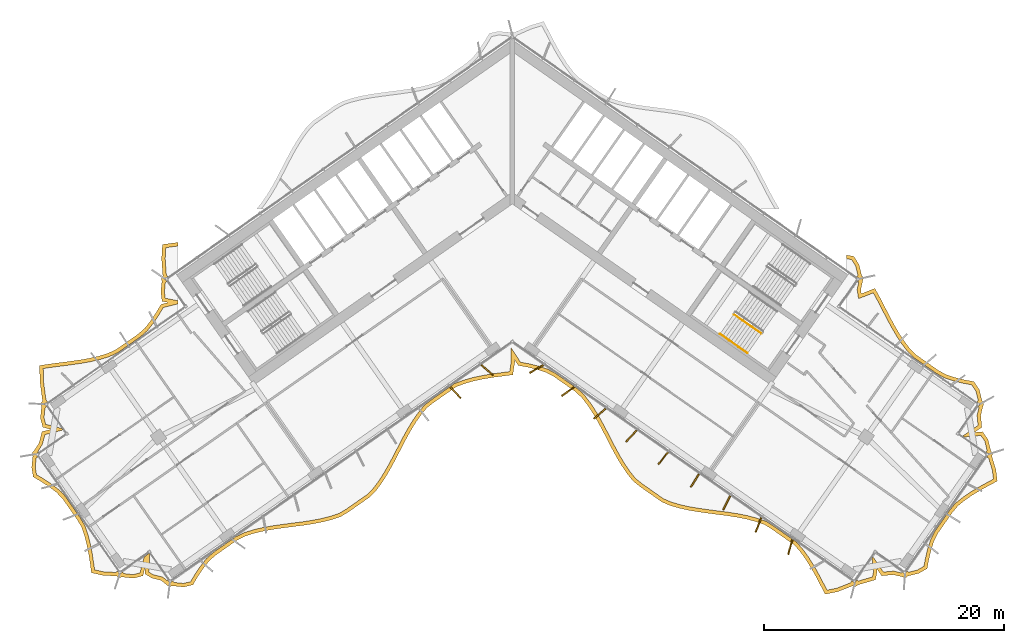
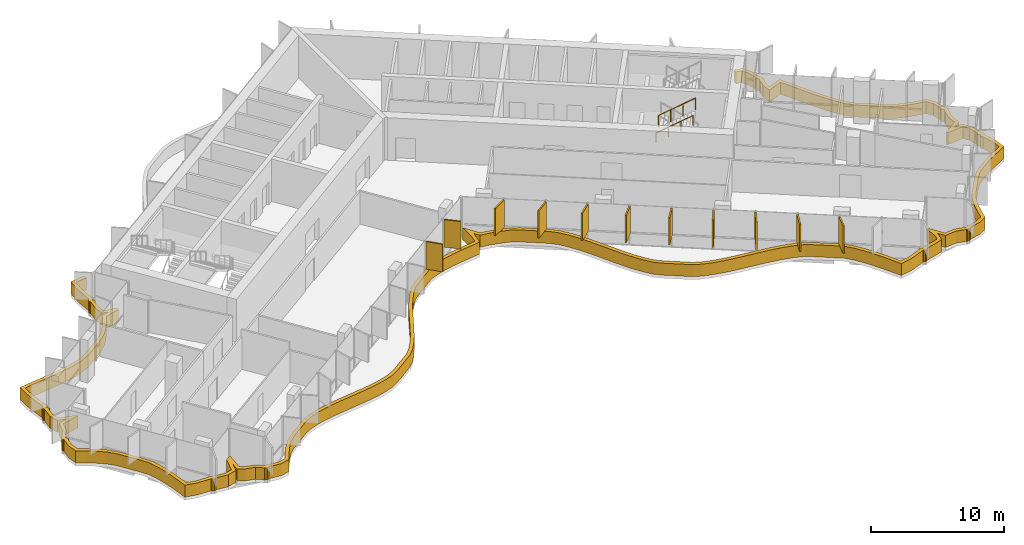
# One storey, part 19 of 22: 12 shading devices, 2 railings.
"""IFC4 building model written with IfcOpenShell, lengths in metres."""

import ifcopenshell
import ifcopenshell.guid

model = None  # the IFC model being written
_history = None  # IfcOwnerHistory: only IFC2X3 demands one
_inside = {}  # id of a spatial element -> (the spatial element, [elements in it])
_under = {}  # id of a project, library or spatial element -> (it, [spatial elements below it])
_declared = {}  # id of a project -> (the project, [libraries it declares])
_typed = {}  # id of a type object -> (the type object, [elements of that type])
_made_of = {}  # id of a material, layer set ... -> (it, [elements and type objects made of it])


def new_model(schema):
    """Start an empty IFC model of exactly this schema.

    Asked for "IFC4X3", IfcOpenShell would pick the latest addendum, in which some entities
    have other attributes; the version numbers below select the first issue.
    IFC2X3 requires an IfcOwnerHistory on every rooted entity: one is made here for all.
    """
    global model, _history
    if schema == "IFC4X3":
        model = ifcopenshell.file(schema_version=(4, 3, 0, 0))
    else:
        model = ifcopenshell.file(schema=schema)
    _inside.clear()
    _under.clear()
    _declared.clear()
    _typed.clear()
    _made_of.clear()
    _history = None
    if model.schema == "IFC2X3":
        org = make("IfcOrganization", Name="unknown")
        user = make(
            "IfcPersonAndOrganization",
            ThePerson=make("IfcPerson", FamilyName="unknown"),
            TheOrganization=org,
        )
        app = make(
            "IfcApplication",
            ApplicationDeveloper=org,
            Version="unknown",
            ApplicationFullName="unknown",
            ApplicationIdentifier="unknown",
        )
        _history = make(
            "IfcOwnerHistory",
            OwningUser=user,
            OwningApplication=app,
            ChangeAction="ADDED",
            CreationDate=0,
        )
    return model


def make(cls, **values):
    """One entity of the class cls with the attributes given. An attribute that is None is left unset."""
    return model.create_entity(
        cls, **{name: value for name, value in values.items() if value is not None}
    )


def rooted(cls, **values):
    """An entity with a GlobalId (a new one), such as an element, a storey or a relation."""
    return make(cls, GlobalId=ifcopenshell.guid.new(), OwnerHistory=_history, **values)


def si_unit(unit_type, name, prefix=None):
    """IfcSIUnit, for example si_unit("LENGTHUNIT", "METRE", prefix="MILLI")."""
    return make("IfcSIUnit", UnitType=unit_type, Prefix=prefix, Name=name)


def assignment(units):
    """IfcUnitAssignment: the units of a project."""
    return None if units is None else make("IfcUnitAssignment", Units=units)


def point(xyz):
    """IfcCartesianPoint."""
    return None if xyz is None else make("IfcCartesianPoint", Coordinates=xyz)


def direction(xyz):
    """IfcDirection."""
    return None if xyz is None else make("IfcDirection", DirectionRatios=xyz)


def frame(location, z_axis=None, x_axis=None):
    """IfcAxis2Placement3D, a coordinate frame: its origin and axes. An axis left out is left unset."""
    return make(
        "IfcAxis2Placement3D",
        Location=point(location),
        Axis=direction(z_axis),
        RefDirection=direction(x_axis),
    )


def frame_2d(location, x_axis=None):
    """IfcAxis2Placement2D, a coordinate frame in the plane: its origin and x axis."""
    return make(
        "IfcAxis2Placement2D", Location=point(location), RefDirection=direction(x_axis)
    )


def origin():
    """The frame at (0, 0, 0) with its axes left unset."""
    return frame((0.0, 0.0, 0.0))


def origin_2d():
    """The frame at (0, 0) in the plane with its x axis left unset."""
    return frame_2d((0.0, 0.0))


def place(relative_to, where):
    """IfcLocalPlacement: puts the frame where relative to a parent placement (None: the world)."""
    return make(
        "IfcLocalPlacement", PlacementRelTo=relative_to, RelativePlacement=where
    )


def context(
    kind, dimensions, precision=None, world=None, true_north=None, identifier=None
):
    """IfcGeometricRepresentationContext, for example the 3D "Model" context."""
    return make(
        "IfcGeometricRepresentationContext",
        ContextIdentifier=identifier,
        ContextType=kind,
        CoordinateSpaceDimension=dimensions,
        Precision=precision,
        WorldCoordinateSystem=world,
        TrueNorth=true_north,
    )


def subcontext(parent, identifier, kind, view, scale=None):
    """IfcGeometricRepresentationSubContext, for example "Body" below "Model"."""
    return make(
        "IfcGeometricRepresentationSubContext",
        ContextIdentifier=identifier,
        ContextType=kind,
        ParentContext=parent,
        TargetScale=scale,
        TargetView=view,
    )


def project(units=None, contexts=None):
    """IfcProject with its units and contexts."""
    return rooted(
        "IfcProject",
        Name="project",
        RepresentationContexts=contexts,
        UnitsInContext=assignment(units),
    )


def spatial(cls, under=None, at=None, **own):
    """A site, building, storey or space (cls), placed at a placement, below another one or the project."""
    s = rooted(cls, ObjectPlacement=at, **own)
    if under is not None:
        _under.setdefault(under.id(), (under, []))[1].append(s)
    return s


def polyline(points):
    """IfcPolyline through the points."""
    return make("IfcPolyline", Points=[point(p) for p in points])


def profile(cls, at=None, kind="AREA", **sizes):
    """A parametric profile (cls). Its sizes go by their IFC names, for example OverallWidth=200.0."""
    return make(cls, ProfileType=kind, Position=at, **sizes)


def rectangle(**sizes):
    """IfcRectangleProfileDef."""
    return profile("IfcRectangleProfileDef", **sizes)


def circle(**sizes):
    """IfcCircleProfileDef."""
    return profile("IfcCircleProfileDef", **sizes)


def outline(outer, holes=None, kind="AREA"):
    """IfcArbitraryClosedProfileDef: a profile drawn as a closed curve; with holes, ...WithVoids."""
    if holes is None:
        return make("IfcArbitraryClosedProfileDef", ProfileType=kind, OuterCurve=outer)
    return make(
        "IfcArbitraryProfileDefWithVoids",
        ProfileType=kind,
        OuterCurve=outer,
        InnerCurves=holes,
    )


def extrude(swept, where, along, depth):
    """IfcExtrudedAreaSolid: the profile swept, set in the frame where, extruded along a direction by depth."""
    return make(
        "IfcExtrudedAreaSolid",
        SweptArea=swept,
        Position=where,
        ExtrudedDirection=direction(along),
        Depth=depth,
    )


def shape(context_of_items, identifier, shape_type, items):
    """IfcShapeRepresentation: the items that make up one representation, for example the "Body"."""
    return make(
        "IfcShapeRepresentation",
        ContextOfItems=context_of_items,
        RepresentationIdentifier=identifier,
        RepresentationType=shape_type,
        Items=items,
    )


def material(Name=None, Category=None):
    """IfcMaterial."""
    return make("IfcMaterial", Name=Name, Category=Category)


def layer(
    of_material, thickness, ventilated=None, Name=None, Category=None, Priority=None
):
    """IfcMaterialLayer: one layer of a wall or slab, of a material (None: an air gap)."""
    return make(
        "IfcMaterialLayer",
        Material=of_material,
        LayerThickness=thickness,
        IsVentilated=ventilated,
        Name=Name,
        Category=Category,
        Priority=Priority,
    )


def layer_set(layers, Name=None):
    """IfcMaterialLayerSet."""
    return make("IfcMaterialLayerSet", MaterialLayers=layers, LayerSetName=Name)


def made_of(thing, what):
    """Note that an element or type object is made of a material, layer set ...; save() writes the relation."""
    if what is not None:
        _made_of.setdefault(what.id(), (what, []))[1].append(thing)
    return thing


def type_object(cls, material=None, **own):
    """A type object (cls), such as IfcWallType, which elements share."""
    return made_of(rooted(cls, **own), material)


def element(
    cls,
    number,
    at=None,
    inside=None,
    cuts=None,
    type_object=None,
    material=None,
    context=None,
    identifier="Body",
    shape_type=None,
    held_by="IfcProductDefinitionShape",
    body=None,
    shapes=None,
    **own,
):
    """One element of the class cls, such as IfcWall. Its Tag is "e" and its number.

    at: its placement. inside: the storey or other place that contains it. cuts: it is an
    opening in that element (IfcRelVoidsElement). A single representation is given by context,
    identifier, shape_type and body (its items); several are given by shapes. held_by: the class
    of the entity that holds the representations. save() writes the other relations.
    """
    e = rooted(cls, Tag="e%d" % number, ObjectPlacement=at, **own)
    if body is not None:
        shapes = [shape(context, identifier, shape_type, body)]
    if shapes is not None:
        e.Representation = make(held_by, Representations=shapes)
    if inside is not None:
        _inside.setdefault(inside.id(), (inside, []))[1].append(e)
    if cuts is not None:
        rooted(
            "IfcRelVoidsElement", RelatingBuildingElement=cuts, RelatedOpeningElement=e
        )
    if type_object is not None:
        _typed.setdefault(type_object.id(), (type_object, []))[1].append(e)
    return made_of(e, material)


def aggregate(whole, parts):
    """IfcRelAggregates: a whole, such as a stair, and the parts it consists of."""
    return rooted("IfcRelAggregates", RelatingObject=whole, RelatedObjects=parts)


def save(model, path):
    """Write the relations noted so far, then the file.

    IfcRelAggregates (storeys below a building ...), IfcRelContainedInSpatialStructure (elements
    in a storey), IfcRelDefinesByType, IfcRelAssociatesMaterial and IfcRelDeclares: one each for
    every whole, place, type object, material and project.
    """
    for whole, parts in _under.values():
        aggregate(whole, parts)
    for where, things in _inside.values():
        rooted(
            "IfcRelContainedInSpatialStructure",
            RelatedElements=things,
            RelatingStructure=where,
        )
    for kind, things in _typed.values():
        rooted("IfcRelDefinesByType", RelatedObjects=things, RelatingType=kind)
    for what, things in _made_of.values():
        rooted("IfcRelAssociatesMaterial", RelatedObjects=things, RelatingMaterial=what)
    for by, libraries in _declared.values():
        rooted("IfcRelDeclares", RelatingContext=by, RelatedDefinitions=libraries)
    model.write(path)


model = new_model("IFC4")

# Units and contexts
model_context = context("Model", 3, precision=1e-05, world=origin(), true_north=direction((0.0, 1.0)))
body_context = subcontext(model_context, "Body", "Model", "MODEL_VIEW")
ifc_project = project(units=[si_unit("LENGTHUNIT", "METRE"), si_unit("AREAUNIT", "SQUARE_METRE"), si_unit("VOLUMEUNIT", "CUBIC_METRE"), si_unit("PLANEANGLEUNIT", "RADIAN"), si_unit("MASSUNIT", "GRAM", prefix="KILO")], contexts=[model_context])

# Site, building, storey
site_placement = place(None, origin())
site = spatial("IfcSite", under=ifc_project, at=site_placement, CompositionType="ELEMENT")
building_placement = place(site_placement, origin())
building = spatial("IfcBuilding", under=site, at=building_placement, Name="Tel Ilan Convention Tower", CompositionType="ELEMENT")
storey_placement = place(building_placement, frame((0.0, 0.0, 135.89990234375)))
storey = spatial("IfcBuildingStorey", under=building, at=storey_placement, Name="L30", CompositionType="ELEMENT", Elevation=135.89990234375)

# Shading devices
ifc_material_1 = material(Name="Aluminium, bronze anodised", Category="aluminium")
ifc_layer_1 = layer(ifc_material_1, 0.1201171875)
ifc_layer_set_1 = layer_set([ifc_layer_1], Name="FIN BRONZE 1300x120")
shading_device_type_1 = type_object("IfcShadingDeviceType", Name="FIN BRONZE 1300x120", PredefinedType="USERDEFINED", material=ifc_layer_set_1)
for number, where, z_axis, x_axis, name in (
    (1, (-4.7392578125, -16.931884765625, 1.10009765625), (0.0, 0.0, 1.0), (0.686241637865, -0.727373641577, 0.0), "FIN"),
    (2, (-2.097412109375, -15.073974609375, 1.10009765625), (0.0, 0.0, 1.0), (0.753435896329, -0.657521368568, 0.0), "FIN"),
    (3, (2.017822265625, -14.98046875, 1.10009765625), (0.0, 0.0, 1.0), (-0.866025403784, -0.5, 0.0), "FIN"),
    (4, (4.650146484375, -16.84619140625, 1.10009765625), (0.0, 0.0, 1.0), (-0.813552070258, -0.581492071294, 0.0), "FIN"),
    (5, (7.287353515625, -18.708251953125, 1.10009765625), (0.0, 0.0, 1.0), (-0.753435896329, -0.657521368568, 0.0), "FIN"),
    (6, (9.929443359375, -20.56591796875, 1.10009765625), (0.0, 0.0, 1.0), (-0.686241637865, -0.727373641577, 0.0), "FIN"),
    (7, (12.57568359375, -22.419189453125, 1.10009765625), (0.0, 0.0, 1.0), (-0.612600545196, -0.790392669516, 0.0), "FIN"),
    (8, (15.222412109375, -24.2724609375, 1.10009765625), (0.0, 0.0, 1.0), (-0.533204432798, -0.845986425922, 0.0), "FIN"),
    (9, (17.868896484375, -26.125244140625, 1.10009765625), (0.0, 0.0, 1.0), (-0.448799180206, -0.893632640321, 0.0), "FIN"),
    (10, (20.518310546875, -27.97265625, 1.10009765625), (0.0, 0.0, 1.0), (-0.360177724803, -0.932883704733, 0.0), "FIN"),
    (11, (23.170166015625, -29.81396484375, 1.10009765625), (0.0, 0.0, 1.0), (-0.268172612768, -0.963370878614, 0.0), "FIN"),
):
    element("IfcShadingDevice", number, at=place(storey_placement, frame(where, z_axis=z_axis, x_axis=x_axis)), inside=storey, type_object=shading_device_type_1, Name=name, ObjectType="FIN", PredefinedType="USERDEFINED", context=body_context, shape_type="SweptSolid", body=[
        extrude(rectangle(XDim=1.300048828125, YDim=0.1201171875, at=origin_2d()), origin(), (0.0, 0.0, 1.0), 2.52001953125),
    ])
ifc_material_2 = material(Name="Aluminium, bronze anodised", Category="aluminium")
ifc_layer_2 = layer(ifc_material_2, 0.300048828125)
ifc_layer_set_2 = layer_set([ifc_layer_2], Name="LOUVRE BAND 300x1100")
shading_device_type_2 = type_object("IfcShadingDeviceType", Name="LOUVRE BAND 300x1100", PredefinedType="USERDEFINED", material=ifc_layer_set_2)
shading_device_placement = place(storey_placement, origin())
element("IfcShadingDevice", 12, at=shading_device_placement, inside=storey, type_object=shading_device_type_2, Name="LOUVRE BAND 24.01", ObjectType="LOUVRE", PredefinedType="USERDEFINED", context=body_context, shape_type="SweptSolid", body=[
    extrude(outline(polyline([(-40.0625, -23.190673828125), (-39.92822265625, -23.97265625), (-39.250732421875, -24.374267578125), (-38.60546875, -24.798583984375), (-38.006591796875, -25.25537109375), (-37.49755859375, -25.77490234375), (-36.2626953125, -27.53857421875), (-35.8984375, -28.15966796875), (-35.6572265625, -28.86669921875), (-35.46484375, -29.608154296875), (-35.312744140625, -30.377685546875), (-35.189697265625, -31.167724609375), (-35.07666015625, -31.964599609375), (-34.1298828125, -32.177734375), (-32.96484375, -32.238037109375), (-32.93603515625, -32.281494140625), (-32.838623046875, -32.346435546875), (-32.723876953125, -32.369384765625), (-32.609130859375, -32.346435546875), (-32.554931640625, -32.310302734375), (-31.562744140625, -32.420166015625), (-30.788818359375, -32.2177734375), (-30.573974609375, -31.399658203125), (-30.615234375, -32.057861328125), (-30.059814453125, -32.4013671875), (-29.2880859375, -32.593505859375), (-28.79150390625, -32.97802734375), (-28.786865234375, -32.974853515625), (-28.7578125, -33.01806640625), (-28.660400390625, -33.083251953125), (-28.545654296875, -33.10595703125), (-28.430908203125, -33.083251953125), (-28.376953125, -33.047119140625), (-27.396728515625, -33.154296875), (-26.6201171875, -32.970703125), (-26.2060546875, -32.269287109375), (-25.76416015625, -31.607666015625), (-25.286865234375, -30.996826171875), (-24.7294921875, -30.500244140625), (-22.907470703125, -29.224365234375), (-22.2314453125, -28.89697265625), (-21.48779296875, -28.666259765625), (-20.7099609375, -28.484619140625), (-19.905029296875, -28.34130859375), (-19.08251953125, -28.2236328125), (-17.421875, -28.009765625), (-16.60400390625, -27.885009765625), (-15.80712890625, -27.73046875), (-15.039794921875, -27.533935546875), (-14.308837890625, -27.284912109375), (-13.6689453125, -26.906005859375), (-11.846923828125, -25.63037109375), (-11.327880859375, -25.078857421875), (-10.86279296875, -24.4501953125), (-10.43115234375, -23.7744140625), (-10.024658203125, -23.06201171875), (-9.634765625, -22.326171875), (-8.864990234375, -20.84033203125), (-8.46533203125, -20.118408203125), (-8.043212890625, -19.428466796875), (-7.59033203125, -18.782470703125), (-7.10009765625, -18.190185546875), (-6.5087890625, -17.741943359375), (-4.686767578125, -16.466064453125), (-3.97021484375, -16.19677734375), (-3.214599609375, -15.983154296875), (-2.427001953125, -15.8154296875), (-1.615234375, -15.681884765625), (0.04248046875, -15.464111328125), (0.2060546875, -14.405029296875), (0.201416015625, -14.2236328125), (0.50390625, -14.683837890625), (1.3046875, -14.8330078125), (2.077392578125, -15.02197265625), (2.814697265625, -15.26171875), (3.47216796875, -15.615478515625), (5.294189453125, -16.891357421875), (5.832763671875, -17.414794921875), (6.303955078125, -18.034423828125), (6.74072265625, -18.703369140625), (7.150634765625, -19.41064453125), (7.542724609375, -20.143310546875), (8.3115234375, -21.630615234375), (8.70849609375, -22.3564453125), (9.126220703125, -23.052490234375), (9.573486328125, -23.706298828125), (10.057373046875, -24.30810546875), (10.63232421875, -24.77978515625), (12.454345703125, -26.0556640625), (13.14990234375, -26.354736328125), (13.899658203125, -26.57666015625), (14.6826171875, -26.751220703125), (15.490966796875, -26.889404296875), (16.315673828125, -27.004150390625), (17.975341796875, -27.21923828125), (18.790283203125, -27.347900390625), (19.5830078125, -27.5087890625), (20.344970703125, -27.71337890625), (21.069091796875, -27.9716796875), (21.692626953125, -28.373779296875), (23.5146484375, -29.649658203125), (24.012939453125, -30.230712890625), (24.47216796875, -30.86767578125), (24.899169921875, -31.550537109375), (25.30224609375, -32.267578125), (26.07373046875, -33.750732421875), (27.125, -33.542236328125), (28.376953125, -33.047119140625), (28.430908203125, -33.083251953125), (28.545654296875, -33.10595703125), (28.660400390625, -33.083251953125), (28.7578125, -33.01806640625), (28.786865234375, -32.974853515625), (29.53466796875, -32.76611328125), (30.271240234375, -32.54931640625), (30.40380859375, -31.90966796875), (30.373046875, -31.6162109375), (30.788818359375, -32.2177734375), (31.767822265625, -32.126953125), (32.5517578125, -32.31494140625), (32.554931640625, -32.310302734375), (32.609130859375, -32.346435546875), (32.723876953125, -32.369384765625), (32.838623046875, -32.346435546875), (32.93603515625, -32.281494140625), (32.96484375, -32.238037109375), (33.88818359375, -32.008544921875), (34.5771484375, -31.61474609375), (34.722900390625, -30.8408203125), (34.90087890625, -30.08935546875), (35.125244140625, -29.370361328125), (35.439453125, -28.714111328125), (36.67431640625, -26.95068359375), (37.13330078125, -26.39599609375), (37.71533203125, -25.927490234375), (38.346435546875, -25.4931640625), (39.017333984375, -25.0869140625), (39.717529296875, -24.701171875), (40.427734375, -24.322265625), (40.30419921875, -23.359619140625), (39.962646484375, -22.244384765625), (39.99853515625, -22.1904296875), (40.021484375, -22.07568359375), (39.99853515625, -21.9609375), (39.93359375, -21.863525390625), (39.890380859375, -21.83447265625), (39.654052734375, -20.864501953125), (39.19921875, -20.20654296875), (38.498291015625, -20.271484375), (39.133056640625, -19.83251953125), (39.04248046875, -18.853515625), (39.23046875, -18.069580078125), (39.225830078125, -18.066162109375), (39.261962890625, -18.01220703125), (39.28466796875, -17.8974609375), (39.261962890625, -17.78271484375), (39.19677734375, -17.685302734375), (39.153564453125, -17.656494140625), (38.917724609375, -16.690185546875), (38.468017578125, -16.029296875), (37.661376953125, -15.878662109375), (36.88330078125, -15.686767578125), (36.141357421875, -15.443115234375), (35.483642578125, -15.07958984375), (33.64697265625, -13.793701171875), (33.11279296875, -13.25341796875), (32.64111328125, -12.6240234375), (32.20361328125, -11.94580078125), (31.792724609375, -11.229736328125), (31.39892578125, -10.4892578125), (30.623291015625, -8.990966796875), (30.220947265625, -8.262451171875), (29.09619140625, -8.70458984375), (29.044921875, -8.373779296875), (29.20458984375, -7.631103515625), (29.199951171875, -7.6279296875), (29.236083984375, -7.57373046875), (29.2587890625, -7.458984375), (29.236083984375, -7.34423828125), (29.1708984375, -7.246826171875), (29.127685546875, -7.218017578125), (28.894287109375, -6.267333984375), (28.465576171875, -5.595458984375), (27.874755859375, -5.485595703125), (27.874755859375, -5.790771484375), (28.28271484375, -5.86669921875), (28.614990234375, -6.387451171875), (28.806640625, -7.1533203125), (28.713134765625, -7.286865234375), (28.958740234375, -7.458984375), (28.787353515625, -7.705322265625), (28.869384765625, -7.7626953125), (28.73974609375, -8.364990234375), (28.857421875, -9.12060546875), (30.085693359375, -8.63818359375), (30.35888671875, -9.1328125), (31.133056640625, -10.628173828125), (31.530029296875, -11.375), (31.947265625, -12.101806640625), (32.394775390625, -12.795654296875), (32.885009765625, -13.44970703125), (33.45263671875, -14.02392578125), (35.324462890625, -15.33447265625), (36.02099609375, -15.71923828125), (36.80029296875, -15.975341796875), (37.597900390625, -16.171875), (38.290283203125, -16.30126953125), (38.6396484375, -16.814453125), (38.832763671875, -17.591552734375), (38.739013671875, -17.725341796875), (38.98486328125, -17.8974609375), (38.813232421875, -18.1435546875), (38.89111328125, -18.1982421875), (38.7392578125, -18.831787109375), (38.818359375, -19.685546875), (37.55517578125, -20.55859375), (37.682861328125, -20.648193359375), (39.052001953125, -20.521484375), (39.3759765625, -20.989990234375), (39.569580078125, -21.769775390625), (39.475830078125, -21.903564453125), (39.721435546875, -22.07568359375), (39.550048828125, -22.32177734375), (39.710205078125, -22.43408203125), (40.009765625, -23.4228515625), (40.103759765625, -24.155029296875), (38.8671875, -24.8271484375), (38.18359375, -25.240966796875), (37.535888671875, -25.686767578125), (36.921630859375, -26.181396484375), (36.435302734375, -26.7685546875), (35.179443359375, -28.562255859375), (34.84521484375, -29.26025390625), (34.611328125, -30.010009765625), (34.42919921875, -30.7783203125), (34.30810546875, -31.423095703125), (33.77490234375, -31.727783203125), (33.029052734375, -31.916748046875), (32.89599609375, -31.823486328125), (32.723876953125, -32.0693359375), (32.4775390625, -31.89794921875), (32.423095703125, -31.9755859375), (31.78955078125, -31.82373046875), (30.935791015625, -31.90283203125), (30.0625, -30.6396484375), (29.980712890625, -30.756591796875), (30.1005859375, -31.894775390625), (30.013916015625, -32.312255859375), (28.846435546875, -32.650390625), (28.7177734375, -32.560302734375), (28.545654296875, -32.805908203125), (28.299560546875, -32.634521484375), (28.1796875, -32.8056640625), (27.040283203125, -33.253173828125), (26.237060546875, -33.41259765625), (25.565673828125, -32.124267578125), (25.1572265625, -31.3974609375), (24.72119140625, -30.7001953125), (24.2490234375, -30.045166015625), (23.7177734375, -29.425537109375), (21.860107421875, -28.124755859375), (21.20263671875, -27.70068359375), (20.434326171875, -27.4267578125), (19.65185546875, -27.216552734375), (18.843505859375, -27.052734375), (18.0185546875, -26.92236328125), (16.355224609375, -26.706787109375), (15.536865234375, -26.593017578125), (14.740478515625, -26.456787109375), (13.97509765625, -26.2861328125), (13.252197265625, -26.072021484375), (12.60107421875, -25.792236328125), (10.813720703125, -24.54052734375), (10.271728515625, -24.095703125), (9.814697265625, -23.52734375), (9.37890625, -22.890380859375), (8.96875, -22.207275390625), (8.576416015625, -21.489501953125), (7.808349609375, -20.00390625), (7.412841796875, -19.2646484375), (6.996337890625, -18.546142578125), (6.54931640625, -17.861572265625), (6.05810546875, -17.215087890625), (5.48583984375, -16.659423828125), (3.629638671875, -15.359619140625), (2.93310546875, -14.98486328125), (2.159423828125, -14.733154296875), (1.36767578125, -14.53955078125), (0.684326171875, -14.412353515625), (-0.125, -13.18017578125), (-0.0947265625, -14.3857421875), (-0.219482421875, -15.19482421875), (-1.659912109375, -15.38525390625), (-2.482666015625, -15.5205078125), (-3.286865234375, -15.691650390625), (-4.06396484375, -15.911376953125), (-4.827880859375, -16.198486328125), (-6.685546875, -17.49951171875), (-7.308837890625, -17.97216796875), (-7.8291015625, -18.6005859375), (-8.294189453125, -19.263916015625), (-8.724609375, -19.96728515625), (-9.12939453125, -20.6982421875), (-9.900634765625, -22.1875), (-10.28759765625, -22.91748046875), (-10.68798828125, -23.619140625), (-11.110107421875, -24.280029296875), (-11.55859375, -24.88623046875), (-12.044189453125, -25.40234375), (-13.831787109375, -26.65380859375), (-14.43505859375, -27.010986328125), (-15.12548828125, -27.24609375), (-15.873046875, -27.437744140625), (-16.6552734375, -27.58935546875), (-17.4638671875, -27.712646484375), (-19.12255859375, -27.92626953125), (-19.95263671875, -28.045166015625), (-20.770263671875, -28.190673828125), (-21.56640625, -28.376708984375), (-22.341796875, -28.6171875), (-23.059814453125, -28.96484375), (-24.916015625, -30.264404296875), (-25.506591796875, -30.790771484375), (-26.007568359375, -31.431884765625), (-26.460205078125, -32.109619140625), (-26.8134765625, -32.708251953125), (-27.416015625, -32.8505859375), (-28.206298828125, -32.767578125), (-28.299560546875, -32.634521484375), (-28.545654296875, -32.805908203125), (-28.7177734375, -32.560302734375), (-28.782470703125, -32.60546875), (-29.154296875, -32.317626953125), (-29.94189453125, -32.12158203125), (-30.3046875, -31.897216796875), (-30.21240234375, -30.42578125), (-30.266357421875, -30.3486328125), (-30.685302734375, -30.641845703125), (-31.034423828125, -31.971923828125), (-31.58544921875, -32.115966796875), (-32.38427734375, -32.03125), (-32.4775390625, -31.89794921875), (-32.723876953125, -32.0693359375), (-32.89599609375, -31.823486328125), (-33.056640625, -31.93603515625), (-34.08837890625, -31.87939453125), (-34.80859375, -31.71728515625), (-35.017333984375, -30.325439453125), (-35.17236328125, -29.54150390625), (-35.36962890625, -28.780517578125), (-35.624267578125, -28.033935546875), (-36.010009765625, -27.376220703125), (-37.265869140625, -25.58251953125), (-37.807373046875, -25.02978515625), (-38.431884765625, -24.5537109375), (-39.091796875, -24.119873046875), (-39.656005859375, -23.78515625), (-39.760009765625, -23.18017578125), (-39.6826171875, -22.41455078125), (-39.550048828125, -22.32177734375), (-39.721435546875, -22.07568359375), (-39.475830078125, -21.903564453125), (-39.53076171875, -21.8251953125), (-39.171142578125, -21.28173828125), (-38.953369140625, -20.452392578125), (-37.4677734375, -20.06396484375), (-37.557373046875, -19.93603515625), (-38.88720703125, -19.5869140625), (-39.031494140625, -19.035888671875), (-38.946533203125, -18.237060546875), (-38.813232421875, -18.1435546875), (-38.98486328125, -17.8974609375), (-38.739013671875, -17.725341796875), (-38.869140625, -17.53955078125), (-39.0703125, -16.02099609375), (-39.097412109375, -14.9482421875), (-38.5390625, -14.860595703125), (-36.869140625, -14.64453125), (-36.031494140625, -14.52685546875), (-35.205810546875, -14.383544921875), (-34.40087890625, -14.200439453125), (-33.618408203125, -13.963134765625), (-32.884765625, -13.626220703125), (-31.012939453125, -12.315673828125), (-30.4130859375, -11.792724609375), (-29.906005859375, -11.14794921875), (-29.44873046875, -10.4658203125), (-29.09033203125, -9.859375), (-27.874755859375, -9.551025390625), (-27.874755859375, -9.287353515625), (-28.923828125, -9.080322265625), (-28.992431640625, -8.5439453125), (-28.91943359375, -7.797607421875), (-28.787353515625, -7.705322265625), (-28.958740234375, -7.458984375), (-28.713134765625, -7.286865234375), (-28.83740234375, -7.109375), (-28.93115234375, -5.783447265625), (-28.876953125, -4.86572265625), (-27.874755859375, -4.735107421875), (-27.874755859375, -4.4326171875), (-29.161865234375, -4.60107421875), (-29.231689453125, -5.78515625), (-29.127685546875, -7.218017578125), (-29.1708984375, -7.246826171875), (-29.236083984375, -7.34423828125), (-29.2587890625, -7.458984375), (-29.236083984375, -7.57373046875), (-29.199951171875, -7.6279296875), (-29.29443359375, -8.548583984375), (-29.19384765625, -9.332763671875), (-28.654541015625, -9.439208984375), (-29.284912109375, -9.59912109375), (-29.70263671875, -10.305908203125), (-30.14892578125, -10.971435546875), (-30.631591796875, -11.5849609375), (-31.197998046875, -12.078857421875), (-33.03466796875, -13.364990234375), (-33.72509765625, -13.68212890625), (-34.477783203125, -13.91015625), (-35.2646484375, -14.089111328125), (-36.078125, -14.23046875), (-36.90869140625, -14.34716796875), (-38.58203125, -14.563720703125), (-39.404052734375, -14.692626953125), (-39.369873046875, -16.044677734375), (-39.153564453125, -17.656494140625), (-39.19677734375, -17.685302734375), (-39.261962890625, -17.78271484375), (-39.28466796875, -17.8974609375), (-39.261962890625, -18.01220703125), (-39.225830078125, -18.066162109375), (-39.33544921875, -19.05859375), (-39.133056640625, -19.83251953125), (-38.452392578125, -20.01123046875), (-39.19921875, -20.20654296875), (-39.44873046875, -21.157470703125), (-39.8935546875, -21.829833984375), (-39.890380859375, -21.83447265625), (-39.93359375, -21.863525390625), (-39.99853515625, -21.9609375), (-40.021484375, -22.07568359375), (-39.99853515625, -22.1904296875), (-39.962646484375, -22.244384765625), (-40.0625, -23.190673828125)])), origin(), (0.0, 0.0, 1.0), 1.10009765625),
])

# Railings
ifc_material_3 = material(Name="Stainless Steel Grade 316", Category="steel")
railing_type_1 = type_object("IfcRailingType", Name="Stainless Steel Stair Guard 1100 mm", PredefinedType="GUARDRAIL", material=ifc_material_3)
railing_1_placement = place(storey_placement, frame((18.4599609375, -10.423095703125, 2.12744140625)))
element("IfcRailing", 13, at=railing_1_placement, inside=storey, type_object=railing_type_1, Name="L30 S4 stair guard 3", PredefinedType="GUARDRAIL", context=body_context, shape_type="SweptSolid", body=[
    extrude(circle(Radius=0.02392578125, at=origin_2d()), frame((0.0, 0.0, 1.076171875), z_axis=(0.692098378994, -0.484653031975, 0.534893701956), x_axis=(0.573608623498, 0.819129505664, 0.0)), (0.0, 0.0, 1.0), 3.314208984375),
    extrude(circle(Radius=0.02099609375, at=origin_2d()), origin(), (0.0, 0.0, 1.0), 1.052001953125),
    extrude(circle(Radius=0.02099609375, at=origin_2d()), frame((0.7646484375, -0.535400390625, 0.5908203125)), (0.0, 0.0, 1.0), 1.052001953125),
    extrude(circle(Radius=0.02099609375, at=origin_2d()), frame((1.529052734375, -1.07080078125, 1.181884765625)), (0.0, 0.0, 1.0), 1.052001953125),
    extrude(circle(Radius=0.02099609375, at=origin_2d()), frame((2.293701171875, -1.606201171875, 1.772705078125)), (0.0, 0.0, 1.0), 1.052001953125),
])
ifc_material_4 = material(Name="Stainless Steel Grade 316", Category="steel")
railing_type_2 = type_object("IfcRailingType", Name="Stainless Steel Stair Handrail 900 mm", PredefinedType="HANDRAIL", material=ifc_material_4)
railing_2_placement = place(storey_placement, frame((17.312744140625, -12.0615234375, 2.12744140625)))
element("IfcRailing", 14, at=railing_2_placement, inside=storey, type_object=railing_type_2, Name="L30 S4 stair handrail 2", PredefinedType="HANDRAIL", context=body_context, shape_type="SweptSolid", body=[
    extrude(circle(Radius=0.02392578125, at=origin_2d()), frame((0.0, 0.0, 0.8759765625), z_axis=(0.692123088272, -0.484596665743, 0.534912798717), x_axis=(0.573550118428, 0.819170471667, 0.0)), (0.0, 0.0, 1.0), 3.31396484375),
    extrude(circle(Radius=0.02099609375, at=origin_2d()), origin(), (0.0, 0.0, 1.0), 0.851806640625),
    extrude(circle(Radius=0.02099609375, at=origin_2d()), frame((0.7646484375, -0.535400390625, 0.5908203125)), (0.0, 0.0, 1.0), 0.851806640625),
    extrude(circle(Radius=0.02099609375, at=origin_2d()), frame((1.529052734375, -1.070556640625, 1.181884765625)), (0.0, 0.0, 1.0), 0.851806640625),
    extrude(circle(Radius=0.02099609375, at=origin_2d()), frame((2.293701171875, -1.60595703125, 1.772705078125)), (0.0, 0.0, 1.0), 0.851806640625),
])

save(model, "model.ifc")
